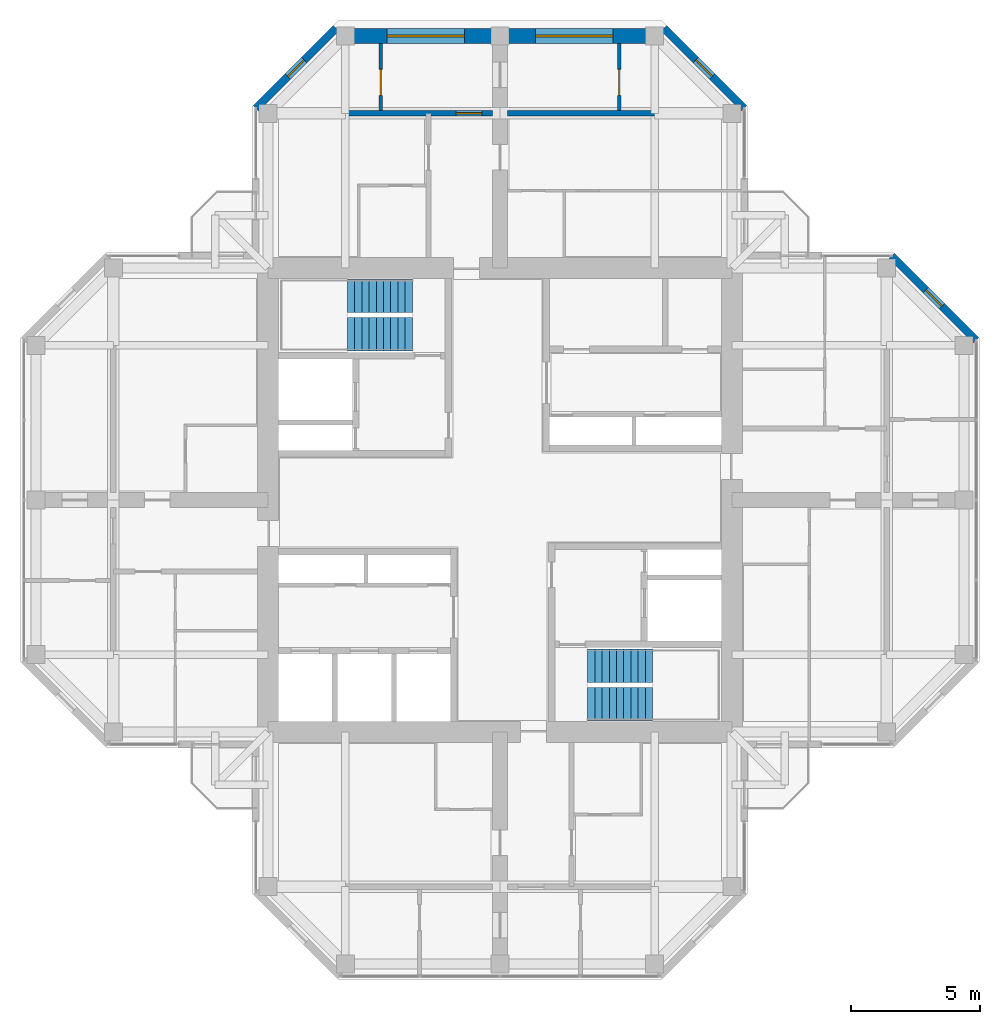
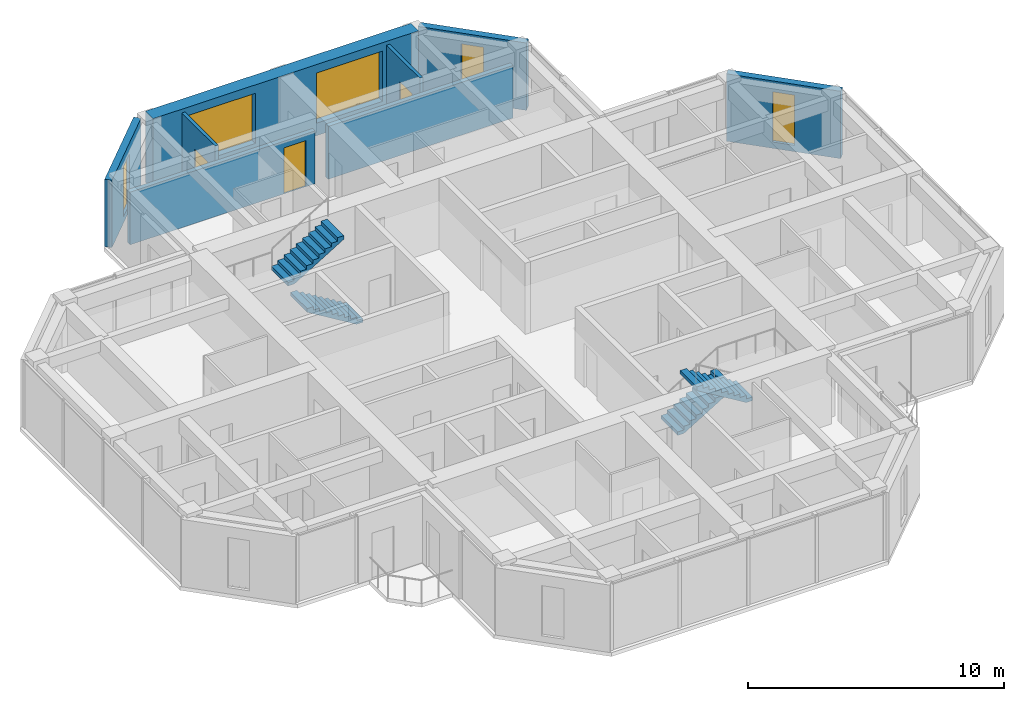
# One storey, part 12 of 13: 8 walls, 5 windows, 4 stair flights, 3 doors, 8 openings, 2 elements without a shape of their own.
"""IFC4 building model written with IfcOpenShell, lengths in metres."""

from ifc_helpers import new_model, si_unit, direction, frame, frame_2d, origin, place, context, subcontext, project, spatial, polyline, rectangle, hollow_rectangle, outline, extrude, material, layer, layer_set, constituent, constituent_set, type_object, element, fill, aggregate, save


model = new_model("IFC4")

# Units and contexts
model_context = context("Model", 3, precision=1e-05, world=origin(), true_north=direction((0.0, 1.0)))
body_context = subcontext(model_context, "Body", "Model", "MODEL_VIEW")
ifc_project = project(units=[si_unit("LENGTHUNIT", "METRE"), si_unit("AREAUNIT", "SQUARE_METRE"), si_unit("VOLUMEUNIT", "CUBIC_METRE"), si_unit("PLANEANGLEUNIT", "RADIAN"), si_unit("MASSUNIT", "GRAM", prefix="KILO")], contexts=[model_context])

# Site, building, storey
site_placement = place(None, origin())
site = spatial("IfcSite", under=ifc_project, at=site_placement, CompositionType="ELEMENT")
building_placement = place(site_placement, origin())
building = spatial("IfcBuilding", under=site, at=building_placement, Name="Torre Cruceta", CompositionType="ELEMENT")
storey_placement = place(building_placement, frame((0.0, 0.0, 281.5)))
storey = spatial("IfcBuildingStorey", under=building, at=storey_placement, Name="L73", CompositionType="ELEMENT", Elevation=281.5)

# Wall, opening, window
ifc_material_1 = material(Name="Concrete G30 (fck 30 MPa)", Category="concrete")
ifc_layer_1 = layer(ifc_material_1, 0.300048828125)
ifc_layer_set_1 = layer_set([ifc_layer_1], Name="Concrete G30 (fck 30 MPa)")
wall_type_1 = type_object("IfcWallType", Name="EXPOSED CONCRETE FACADE WALL 300", PredefinedType="SOLIDWALL", material=ifc_layer_set_1)
wall_1_placement = place(storey_placement, frame((18.469970703125, 6.194580078125, 0.0), z_axis=(0.0, 0.0, 1.0), x_axis=(-0.707106781187, 0.707106781187, 0.0)))
wall_1 = element("IfcWall", 1, at=wall_1_placement, inside=storey, type_object=wall_type_1, Name="EW1 facade wall L73 E chamfer 03", PredefinedType="SOLIDWALL", context=body_context, shape_type="SweptSolid", body=[
    extrude(rectangle(XDim=4.632080078125, YDim=0.300048828125, at=frame_2d((2.31591796875, 0.0))), origin(), (0.0, 0.0, 1.0), 3.219970703125),
])
opening_1_placement = place(wall_1_placement, frame((1.865966796875, 0.0, 0.300048828125)))
opening_1 = element("IfcOpeningElement", 2, at=opening_1_placement, cuts=wall_1, Name="Opening WN5", PredefinedType="OPENING", context=body_context, shape_type="SweptSolid", body=[
    extrude(rectangle(XDim=0.89990234375, YDim=2.39990234375, at=frame_2d((0.449951171875, 1.199951171875))), frame((0.0, 0.159912109375, 0.0), z_axis=(0.0, -1.0, 0.0), x_axis=(1.0, 0.0, 0.0)), (0.0, 0.0, 1.0), 0.320068359375),
])
ifc_material_2 = material(Name="Aluminium window frame", Category="aluminium")
ifc_constituent_1 = constituent(ifc_material_2, Name="Frame")
ifc_material_3 = material(Name="Laminated insulating glass unit, low-iron clear", Category="glass")
ifc_constituent_2 = constituent(ifc_material_3, Name="Glazing")
ifc_constituent_set_1 = constituent_set(constituents=[ifc_constituent_1, ifc_constituent_2], Name="Aluminium window")
window_type_1 = type_object("IfcWindowType", Name="CHAMFER SLOT WINDOW 900X2400", PartitioningType="SINGLE_PANEL", PredefinedType="WINDOW", material=ifc_constituent_set_1)
window_1_placement = place(opening_1_placement, origin())
window_1 = element("IfcWindow", 3, at=window_1_placement, inside=storey, type_object=window_type_1, Name="WN5 L73 E 1", OverallHeight=2.39990234375, OverallWidth=0.89990234375, PartitioningType="SINGLE_PANEL", PredefinedType="WINDOW", context=body_context, shape_type="SweptSolid", body=[
    extrude(hollow_rectangle(XDim=0.89990234375, YDim=2.39990234375, WallThickness=0.06005859375, at=frame_2d((0.449951171875, 1.199951171875))), frame((0.0, 0.030029296875, 0.0), z_axis=(0.0, -1.0, 0.0), x_axis=(1.0, 0.0, 0.0)), (0.0, 0.0, 1.0), 0.06005859375),
    extrude(rectangle(XDim=0.77880859375, YDim=2.27880859375, at=frame_2d((0.449951171875, 1.199951171875))), frame((0.0, 0.030029296875, 0.0), z_axis=(0.0, -1.0, 0.0), x_axis=(1.0, 0.0, 0.0)), (0.0, 0.0, 1.0), 0.06005859375),
])
fill(opening_1, window_1)

wall_2_placement = place(storey_placement, frame((9.469970703125, 15.194580078125, 0.0), z_axis=(0.0, 0.0, 1.0), x_axis=(-0.70707898447, 0.707134576811, 0.0)))
wall_2 = element("IfcWall", 4, at=wall_2_placement, inside=storey, type_object=wall_type_1, Name="EW1 facade wall L73 N chamfer 06", PredefinedType="SOLIDWALL", context=body_context, shape_type="SweptSolid", body=[
    extrude(rectangle(XDim=4.3916015625, YDim=0.300048828125, at=frame_2d((2.19580078125, 0.0))), origin(), (0.0, 0.0, 1.0), 3.219970703125),
])
opening_2_placement = place(wall_2_placement, frame((1.745849609375, 0.0, 0.300048828125)))
opening_2 = element("IfcOpeningElement", 5, at=opening_2_placement, cuts=wall_2, Name="Opening WN5", PredefinedType="OPENING", context=body_context, shape_type="SweptSolid", body=[
    extrude(rectangle(XDim=0.89990234375, YDim=2.39990234375, at=frame_2d((0.449951171875, 1.199951171875))), frame((0.0, 0.159912109375, 0.0), z_axis=(0.0, -1.0, 0.0), x_axis=(1.0, 0.0, 0.0)), (0.0, 0.0, 1.0), 0.320068359375),
])
window_2_placement = place(opening_2_placement, origin())
window_2 = element("IfcWindow", 6, at=window_2_placement, inside=storey, type_object=window_type_1, Name="WN5 L73 N 1", OverallHeight=2.39990234375, OverallWidth=0.89990234375, PartitioningType="SINGLE_PANEL", PredefinedType="WINDOW", context=body_context, shape_type="SweptSolid", body=[
    extrude(hollow_rectangle(XDim=0.89990234375, YDim=2.39990234375, WallThickness=0.06005859375, at=frame_2d((0.449951171875, 1.199951171875))), frame((0.0, 0.030029296875, 0.0), z_axis=(0.0, -1.0, 0.0), x_axis=(1.0, 0.0, 0.0)), (0.0, 0.0, 1.0), 0.06005859375),
    extrude(rectangle(XDim=0.77880859375, YDim=2.27880859375, at=frame_2d((0.449951171875, 1.199951171875))), frame((0.0, 0.030029296875, 0.0), z_axis=(0.0, -1.0, 0.0), x_axis=(1.0, 0.0, 0.0)), (0.0, 0.0, 1.0), 0.06005859375),
])
fill(opening_2, window_2)

wall_3_placement = place(storey_placement, frame((-6.36474609375, 18.300048828125, 0.0), z_axis=(0.0, 0.0, 1.0), x_axis=(-0.70707898447, -0.707134576811, 0.0)))
wall_3 = element("IfcWall", 7, at=wall_3_placement, inside=storey, type_object=wall_type_1, Name="EW1 facade wall L73 N chamfer 08", PredefinedType="SOLIDWALL", context=body_context, shape_type="SweptSolid", body=[
    extrude(rectangle(XDim=4.3916015625, YDim=0.300048828125, at=frame_2d((2.19580078125, 0.0))), origin(), (0.0, 0.0, 1.0), 3.219970703125),
])
opening_3_placement = place(wall_3_placement, frame((1.745849609375, 0.0, 0.300048828125)))
opening_3 = element("IfcOpeningElement", 8, at=opening_3_placement, cuts=wall_3, Name="Opening WN5", PredefinedType="OPENING", context=body_context, shape_type="SweptSolid", body=[
    extrude(rectangle(XDim=0.89990234375, YDim=2.39990234375, at=frame_2d((0.449951171875, 1.199951171875))), frame((0.0, 0.159912109375, 0.0), z_axis=(0.0, -1.0, 0.0), x_axis=(1.0, 0.0, 0.0)), (0.0, 0.0, 1.0), 0.320068359375),
])
window_3_placement = place(opening_3_placement, origin())
window_3 = element("IfcWindow", 9, at=window_3_placement, inside=storey, type_object=window_type_1, Name="WN5 L73 N 1", OverallHeight=2.39990234375, OverallWidth=0.89990234375, PartitioningType="SINGLE_PANEL", PredefinedType="WINDOW", context=body_context, shape_type="SweptSolid", body=[
    extrude(hollow_rectangle(XDim=0.89990234375, YDim=2.39990234375, WallThickness=0.06005859375, at=frame_2d((0.449951171875, 1.199951171875))), frame((0.0, 0.030029296875, 0.0), z_axis=(0.0, -1.0, 0.0), x_axis=(1.0, 0.0, 0.0)), (0.0, 0.0, 1.0), 0.06005859375),
    extrude(rectangle(XDim=0.77880859375, YDim=2.27880859375, at=frame_2d((0.449951171875, 1.199951171875))), frame((0.0, 0.030029296875, 0.0), z_axis=(0.0, -1.0, 0.0), x_axis=(1.0, 0.0, 0.0)), (0.0, 0.0, 1.0), 0.06005859375),
])
fill(opening_3, window_3)

# Wall, openings, windows
ifc_material_4 = material(Name="Concrete G60 (fck 60 MPa)", Category="concrete")
ifc_layer_2 = layer(ifc_material_4, 0.60009765625)
ifc_layer_set_2 = layer_set([ifc_layer_2], Name="Concrete G60 (fck 60 MPa)")
wall_type_2 = type_object("IfcWallType", Name="NOSE WALL 600 G60", PredefinedType="SHEAR", material=ifc_layer_set_2)
wall_4_placement = place(storey_placement, frame((6.0, 18.0, 0.0), z_axis=(0.0, 0.0, 1.0), x_axis=(-1.0, 0.0, 0.0)))
wall_4 = element("IfcWall", 10, at=wall_4_placement, inside=storey, type_object=wall_type_2, Name="NW3 nose wall L73 N", PredefinedType="SHEAR", context=body_context, shape_type="SweptSolid", body=[
    extrude(rectangle(XDim=12.0, YDim=0.60009765625, at=frame_2d((6.0, 0.0))), origin(), (0.0, 0.0, 1.0), 3.39990234375),
])
opening_4_placement = place(wall_4_placement, frame((1.625, 0.0, 0.60009765625)))
opening_4 = element("IfcOpeningElement", 11, at=opening_4_placement, cuts=wall_4, Name="Opening WN6", PredefinedType="OPENING", context=body_context, shape_type="SweptSolid", body=[
    extrude(rectangle(XDim=3.0, YDim=2.39990234375, at=frame_2d((1.5, 1.199951171875))), frame((0.0, 0.31005859375, 0.0), z_axis=(0.0, -1.0, 0.0), x_axis=(1.0, 0.0, 0.0)), (0.0, 0.0, 1.0), 0.6201171875),
])
opening_5_placement = place(wall_4_placement, frame((7.375, 0.0, 0.60009765625)))
opening_5 = element("IfcOpeningElement", 12, at=opening_5_placement, cuts=wall_4, Name="Opening WN6", PredefinedType="OPENING", context=body_context, shape_type="SweptSolid", body=[
    extrude(rectangle(XDim=3.0, YDim=2.39990234375, at=frame_2d((1.5, 1.199951171875))), frame((0.0, 0.31005859375, 0.0), z_axis=(0.0, -1.0, 0.0), x_axis=(1.0, 0.0, 0.0)), (0.0, 0.0, 1.0), 0.6201171875),
])
ifc_material_5 = material(Name="Aluminium window frame", Category="aluminium")
ifc_constituent_3 = constituent(ifc_material_5, Name="Frame")
ifc_material_6 = material(Name="Laminated insulating glass unit, low-iron clear", Category="glass")
ifc_constituent_4 = constituent(ifc_material_6, Name="Glazing")
ifc_constituent_set_2 = constituent_set(constituents=[ifc_constituent_3, ifc_constituent_4], Name="Aluminium window")
window_type_2 = type_object("IfcWindowType", Name="NOSE WALL WINDOW 3000X2400", PartitioningType="SINGLE_PANEL", PredefinedType="WINDOW", material=ifc_constituent_set_2)
window_4_placement = place(opening_4_placement, origin())
window_4 = element("IfcWindow", 13, at=window_4_placement, inside=storey, type_object=window_type_2, Name="WN6 L73 N 1", OverallHeight=2.39990234375, OverallWidth=3.0, PartitioningType="SINGLE_PANEL", PredefinedType="WINDOW", context=body_context, shape_type="SweptSolid", body=[
    extrude(hollow_rectangle(XDim=3.0, YDim=2.39990234375, WallThickness=0.06005859375, at=frame_2d((1.5, 1.199951171875))), frame((0.0, 0.030029296875, 0.0), z_axis=(0.0, -1.0, 0.0), x_axis=(1.0, 0.0, 0.0)), (0.0, 0.0, 1.0), 0.06005859375),
    extrude(rectangle(XDim=2.87890625, YDim=2.27880859375, at=frame_2d((1.5, 1.199951171875))), frame((0.0, 0.030029296875, 0.0), z_axis=(0.0, -1.0, 0.0), x_axis=(1.0, 0.0, 0.0)), (0.0, 0.0, 1.0), 0.06005859375),
])
fill(opening_4, window_4)
window_5_placement = place(opening_5_placement, origin())
window_5 = element("IfcWindow", 14, at=window_5_placement, inside=storey, type_object=window_type_2, Name="WN6 L73 N 2", OverallHeight=2.39990234375, OverallWidth=3.0, PartitioningType="SINGLE_PANEL", PredefinedType="WINDOW", context=body_context, shape_type="SweptSolid", body=[
    extrude(hollow_rectangle(XDim=3.0, YDim=2.39990234375, WallThickness=0.06005859375, at=frame_2d((1.5, 1.199951171875))), frame((0.0, 0.030029296875, 0.0), z_axis=(0.0, -1.0, 0.0), x_axis=(1.0, 0.0, 0.0)), (0.0, 0.0, 1.0), 0.06005859375),
    extrude(rectangle(XDim=2.87890625, YDim=2.27880859375, at=frame_2d((1.5, 1.199951171875))), frame((0.0, 0.030029296875, 0.0), z_axis=(0.0, -1.0, 0.0), x_axis=(1.0, 0.0, 0.0)), (0.0, 0.0, 1.0), 0.06005859375),
])
fill(opening_5, window_5)

# Wall, opening, door
ifc_material_7 = material(Name="Plasterboard on steel studs", Category="steel")
ifc_layer_3 = layer(ifc_material_7, 0.14990234375)
ifc_layer_set_3 = layer_set([ifc_layer_3], Name="Plasterboard on steel studs")
wall_type_3 = type_object("IfcWallType", Name="PARTITION 150", PredefinedType="PARTITIONING", material=ifc_layer_set_3)
wall_5_placement = place(storey_placement, frame((-4.625, 15.10009765625, 0.0), z_axis=(0.0, 0.0, 1.0), x_axis=(0.0, 1.0, 0.0)))
wall_5 = element("IfcWall", 15, at=wall_5_placement, inside=storey, type_object=wall_type_3, Name="PT1 L73-N-ENDX", PredefinedType="PARTITIONING", context=body_context, shape_type="SweptSolid", body=[
    extrude(rectangle(XDim=2.599853515625, YDim=0.14990234375, at=frame_2d((1.2998046875, 0.0))), origin(), (0.0, 0.0, 1.0), 3.219970703125),
])
opening_6_placement = place(wall_5_placement, frame((0.60009765625, 0.0, 0.0)))
opening_6 = element("IfcOpeningElement", 16, at=opening_6_placement, cuts=wall_5, Name="Opening D3", PredefinedType="OPENING", context=body_context, shape_type="SweptSolid", body=[
    extrude(rectangle(XDim=1.0, YDim=2.10009765625, at=frame_2d((0.5, 1.050048828125))), frame((0.0, 0.0849609375, 0.0), z_axis=(0.0, -1.0, 0.0), x_axis=(1.0, 0.0, 0.0)), (0.0, 0.0, 1.0), 0.169921875),
])
ifc_material_8 = material(Name="Steel DX51D", Category="steel")
ifc_constituent_5 = constituent(ifc_material_8, Name="Leaf and frame")
ifc_material_9 = material(Name="Polyester powder coating", Category="paint")
ifc_constituent_6 = constituent(ifc_material_9, Name="Finish")
ifc_constituent_set_3 = constituent_set(constituents=[ifc_constituent_5, ifc_constituent_6], Name="Steel fire door")
door_type_1 = type_object("IfcDoorType", Name="FIRE DOOR 1000X2100", OperationType="SINGLE_SWING_LEFT", PredefinedType="DOOR", material=ifc_constituent_set_3)
door_1_placement = place(opening_6_placement, origin())
door_1 = element("IfcDoor", 17, at=door_1_placement, inside=storey, type_object=door_type_1, Name="D3 L73-N-ENDX-D1", OperationType="SINGLE_SWING_LEFT", OverallHeight=2.10009765625, OverallWidth=1.0, PredefinedType="DOOR", context=body_context, shape_type="SweptSolid", body=[
    extrude(rectangle(XDim=1.0, YDim=2.10009765625, at=frame_2d((0.5, 1.050048828125))), frame((0.0, 0.02490234375, 0.0), z_axis=(0.0, -1.0, 0.0), x_axis=(1.0, 0.0, 0.0)), (0.0, 0.0, 1.0), 0.050048828125),
])
fill(opening_6, door_1)

wall_6_placement = place(storey_placement, frame((4.625, 15.10009765625, 0.0), z_axis=(0.0, 0.0, 1.0), x_axis=(0.0, 1.0, 0.0)))
wall_6 = element("IfcWall", 18, at=wall_6_placement, inside=storey, type_object=wall_type_3, Name="PT1 L73-N-END2X", PredefinedType="PARTITIONING", context=body_context, shape_type="SweptSolid", body=[
    extrude(rectangle(XDim=2.599853515625, YDim=0.14990234375, at=frame_2d((1.2998046875, 0.0))), origin(), (0.0, 0.0, 1.0), 3.219970703125),
])
opening_7_placement = place(wall_6_placement, frame((0.60009765625, 0.0, 0.0)))
opening_7 = element("IfcOpeningElement", 19, at=opening_7_placement, cuts=wall_6, Name="Opening D3", PredefinedType="OPENING", context=body_context, shape_type="SweptSolid", body=[
    extrude(rectangle(XDim=1.0, YDim=2.10009765625, at=frame_2d((0.5, 1.050048828125))), frame((0.0, 0.0849609375, 0.0), z_axis=(0.0, -1.0, 0.0), x_axis=(1.0, 0.0, 0.0)), (0.0, 0.0, 1.0), 0.169921875),
])
door_2_placement = place(opening_7_placement, frame((1.0, 0.0, 0.0), z_axis=(0.0, 0.0, 1.0), x_axis=(-1.0, 0.0, 0.0)))
door_2 = element("IfcDoor", 20, at=door_2_placement, inside=storey, type_object=door_type_1, Name="D3 L73-N-END2X-D1", OperationType="SINGLE_SWING_RIGHT", OverallHeight=2.10009765625, OverallWidth=1.0, PredefinedType="DOOR", context=body_context, shape_type="SweptSolid", body=[
    extrude(rectangle(XDim=1.0, YDim=2.10009765625, at=frame_2d((0.5, 1.050048828125))), frame((0.0, 0.025146484375, 0.0), z_axis=(0.0, -1.0, 0.0), x_axis=(1.0, 0.0, 0.0)), (0.0, 0.0, 1.0), 0.050048828125),
])
fill(opening_7, door_2)

# Wall
ifc_material_10 = material(Name="Concrete G25 (fck 25 MPa)", Category="concrete")
ifc_layer_4 = layer(ifc_material_10, 0.199951171875)
ifc_layer_set_4 = layer_set([ifc_layer_4], Name="Concrete G25 (fck 25 MPa)")
wall_type_4 = type_object("IfcWallType", Name="UNIT SEPARATING WALL 200", PredefinedType="SOLIDWALL", material=ifc_layer_set_4)
wall_7_placement = place(storey_placement, frame((8.64990234375, 15.0, 0.0), z_axis=(0.0, 0.0, 1.0), x_axis=(-1.0, 0.0, 0.0)))
element("IfcWall", 21, at=wall_7_placement, inside=storey, type_object=wall_type_4, Name="PT2 L73-N-ENDa", PredefinedType="SOLIDWALL", context=body_context, shape_type="SweptSolid", body=[
    extrude(rectangle(XDim=8.349853515625, YDim=0.199951171875, at=frame_2d((4.1748046875, 0.0))), origin(), (0.0, 0.0, 1.0), 2.52001953125),
])

# Wall, opening, door
wall_8_placement = place(storey_placement, frame((-0.300048828125, 15.0, 0.0), z_axis=(0.0, 0.0, 1.0), x_axis=(-1.0, 0.0, 0.0)))
wall_8 = element("IfcWall", 22, at=wall_8_placement, inside=storey, type_object=wall_type_4, Name="PT2 L73-N-ENDb", PredefinedType="SOLIDWALL", context=body_context, shape_type="SweptSolid", body=[
    extrude(rectangle(XDim=8.349853515625, YDim=0.199951171875, at=frame_2d((4.1748046875, 0.0))), origin(), (0.0, 0.0, 1.0), 2.52001953125),
])
opening_8_placement = place(wall_8_placement, frame((0.39990234375, 0.0, 0.0)))
opening_8 = element("IfcOpeningElement", 23, at=opening_8_placement, cuts=wall_8, Name="Opening D14", PredefinedType="OPENING", context=body_context, shape_type="SweptSolid", body=[
    extrude(rectangle(XDim=1.0, YDim=2.199951171875, at=frame_2d((0.5, 1.10009765625))), frame((0.0, 0.10986328125, 0.0), z_axis=(0.0, -1.0, 0.0), x_axis=(1.0, 0.0, 0.0)), (0.0, 0.0, 1.0), 0.219970703125),
])
ifc_material_11 = material(Name="Steel DX51D", Category="steel")
ifc_constituent_7 = constituent(ifc_material_11, Name="Leaf and frame")
ifc_material_12 = material(Name="Polyester powder coating", Category="paint")
ifc_constituent_8 = constituent(ifc_material_12, Name="Finish")
ifc_material_13 = material(Name="Fire-resisting glass", Category="glass")
ifc_constituent_9 = constituent(ifc_material_13, Name="Vision panel")
ifc_constituent_set_4 = constituent_set(constituents=[ifc_constituent_7, ifc_constituent_8, ifc_constituent_9], Name="Steel fire door with vision panel")
door_type_2 = type_object("IfcDoorType", Name="FIRE DOOR VISION PANEL 1000X2200", OperationType="SINGLE_SWING_RIGHT", PredefinedType="DOOR", material=ifc_constituent_set_4)
door_3_placement = place(opening_8_placement, frame((1.0, 0.0, 0.0), z_axis=(0.0, 0.0, 1.0), x_axis=(-1.0, 0.0, 0.0)))
door_3 = element("IfcDoor", 24, at=door_3_placement, inside=storey, type_object=door_type_2, Name="D14 L73-N-ENDb-D1", OperationType="SINGLE_SWING_RIGHT", OverallHeight=2.199951171875, OverallWidth=1.0, PredefinedType="DOOR", context=body_context, shape_type="SweptSolid", body=[
    extrude(rectangle(XDim=1.0, YDim=2.199951171875, at=frame_2d((0.5, 1.10009765625))), frame((0.0, 0.025146484375, 0.0), z_axis=(0.0, -1.0, 0.0), x_axis=(1.0, 0.0, 0.0)), (0.0, 0.0, 1.0), 0.050048828125),
])
fill(opening_8, door_3)

# Stair, stair flights
ifc_material_14 = material(Name="Concrete G30 (fck 30 MPa)", Category="concrete")
stair_type = type_object("IfcStairType", Name="STAIR HALF-TURN 1300", PredefinedType="HALF_TURN_STAIR", material=ifc_material_14)
stair_1_placement = place(storey_placement, origin())
stair_1 = element("IfcStair", 25, at=stair_1_placement, inside=storey, type_object=stair_type, Name="Stair ST1 L73", PredefinedType="HALF_TURN_STAIR")
ifc_material_15 = material(Name="Concrete G30 (fck 30 MPa)", Category="concrete")
stair_flight_type = type_object("IfcStairFlightType", Name="STAIR FLIGHT 1300", PredefinedType="STRAIGHT", material=ifc_material_15)
stair_flight_1_placement = place(storey_placement, frame((-3.39990234375, 6.425048828125, 0.0), z_axis=(0.0, 0.0, 1.0), x_axis=(-1.0, 0.0, 0.0)))
stair_flight_1 = element("IfcStairFlight", 26, at=stair_flight_1_placement, type_object=stair_flight_type, Name="ST1 flight 1", NumberOfRisers=10, NumberOfTreads=9, PredefinedType="STRAIGHT", RiserHeight=0.17, TreadLength=0.28, context=body_context, shape_type="SweptSolid", body=[
    extrude(outline(polyline([(0.0, 0.0), (0.0, 0.169921875), (0.280029296875, 0.169921875), (0.280029296875, 0.340087890625), (0.56005859375, 0.340087890625), (0.56005859375, 0.510009765625), (0.840087890625, 0.510009765625), (0.840087890625, 0.679931640625), (1.1201171875, 0.679931640625), (1.1201171875, 0.85009765625), (1.39990234375, 0.85009765625), (1.39990234375, 1.02001953125), (1.679931640625, 1.02001953125), (1.679931640625, 1.18994140625), (1.9599609375, 1.18994140625), (1.9599609375, 1.360107421875), (2.239990234375, 1.360107421875), (2.239990234375, 1.530029296875), (2.52001953125, 1.530029296875), (2.52001953125, 1.699951171875), (2.52001953125, 1.354736328125), (0.288818359375, 0.0), (0.0, 0.0)])), frame((0.0, 0.64990234375, 0.0), z_axis=(0.0, -1.0, 0.0), x_axis=(1.0, 0.0, 0.0)), (0.0, 0.0, 1.0), 1.300048828125),
])
stair_flight_2_placement = place(storey_placement, frame((-5.919921875, 7.925048828125, 1.699951171875), z_axis=(0.0, 0.0, 1.0), x_axis=(1.0, 0.0, 0.0)))
stair_flight_2 = element("IfcStairFlight", 27, at=stair_flight_2_placement, type_object=stair_flight_type, Name="ST1 flight 2", NumberOfRisers=10, NumberOfTreads=9, PredefinedType="STRAIGHT", RiserHeight=0.17, TreadLength=0.28, context=body_context, shape_type="SweptSolid", body=[
    extrude(outline(polyline([(0.0, 0.0), (0.0, 0.169921875), (0.280029296875, 0.169921875), (0.280029296875, 0.340087890625), (0.56005859375, 0.340087890625), (0.56005859375, 0.510009765625), (0.840087890625, 0.510009765625), (0.840087890625, 0.679931640625), (1.1201171875, 0.679931640625), (1.1201171875, 0.85009765625), (1.39990234375, 0.85009765625), (1.39990234375, 1.02001953125), (1.679931640625, 1.02001953125), (1.679931640625, 1.18994140625), (1.9599609375, 1.18994140625), (1.9599609375, 1.360107421875), (2.239990234375, 1.360107421875), (2.239990234375, 1.530029296875), (2.52001953125, 1.530029296875), (2.52001953125, 1.699951171875), (2.52001953125, 1.354736328125), (0.288818359375, 0.0), (0.0, 0.0)])), frame((0.0, 0.64990234375, 0.0), z_axis=(0.0, -1.0, 0.0), x_axis=(1.0, 0.0, 0.0)), (0.0, 0.0, 1.0), 1.300048828125),
])
aggregate(stair_1, [stair_flight_1, stair_flight_2])

stair_2_placement = place(storey_placement, origin())
stair_2 = element("IfcStair", 28, at=stair_2_placement, inside=storey, type_object=stair_type, Name="Stair ST2 L73", PredefinedType="HALF_TURN_STAIR")
stair_flight_3_placement = place(storey_placement, frame((3.39990234375, -6.425048828125, 0.0), z_axis=(0.0, 0.0, 1.0), x_axis=(1.0, 0.0, 0.0)))
stair_flight_3 = element("IfcStairFlight", 29, at=stair_flight_3_placement, type_object=stair_flight_type, Name="ST2 flight 1", NumberOfRisers=10, NumberOfTreads=9, PredefinedType="STRAIGHT", RiserHeight=0.17, TreadLength=0.28, context=body_context, shape_type="SweptSolid", body=[
    extrude(outline(polyline([(0.0, 0.0), (0.0, 0.169921875), (0.280029296875, 0.169921875), (0.280029296875, 0.340087890625), (0.56005859375, 0.340087890625), (0.56005859375, 0.510009765625), (0.840087890625, 0.510009765625), (0.840087890625, 0.679931640625), (1.1201171875, 0.679931640625), (1.1201171875, 0.85009765625), (1.39990234375, 0.85009765625), (1.39990234375, 1.02001953125), (1.679931640625, 1.02001953125), (1.679931640625, 1.18994140625), (1.9599609375, 1.18994140625), (1.9599609375, 1.360107421875), (2.239990234375, 1.360107421875), (2.239990234375, 1.530029296875), (2.52001953125, 1.530029296875), (2.52001953125, 1.699951171875), (2.52001953125, 1.354736328125), (0.288818359375, 0.0), (0.0, 0.0)])), frame((0.0, 0.64990234375, 0.0), z_axis=(0.0, -1.0, 0.0), x_axis=(1.0, 0.0, 0.0)), (0.0, 0.0, 1.0), 1.300048828125),
])
stair_flight_4_placement = place(storey_placement, frame((5.919921875, -7.925048828125, 1.699951171875), z_axis=(0.0, 0.0, 1.0), x_axis=(-1.0, 0.0, 0.0)))
stair_flight_4 = element("IfcStairFlight", 30, at=stair_flight_4_placement, type_object=stair_flight_type, Name="ST2 flight 2", NumberOfRisers=10, NumberOfTreads=9, PredefinedType="STRAIGHT", RiserHeight=0.17, TreadLength=0.28, context=body_context, shape_type="SweptSolid", body=[
    extrude(outline(polyline([(0.0, 0.0), (0.0, 0.169921875), (0.280029296875, 0.169921875), (0.280029296875, 0.340087890625), (0.56005859375, 0.340087890625), (0.56005859375, 0.510009765625), (0.840087890625, 0.510009765625), (0.840087890625, 0.679931640625), (1.1201171875, 0.679931640625), (1.1201171875, 0.85009765625), (1.39990234375, 0.85009765625), (1.39990234375, 1.02001953125), (1.679931640625, 1.02001953125), (1.679931640625, 1.18994140625), (1.9599609375, 1.18994140625), (1.9599609375, 1.360107421875), (2.239990234375, 1.360107421875), (2.239990234375, 1.530029296875), (2.52001953125, 1.530029296875), (2.52001953125, 1.699951171875), (2.52001953125, 1.354736328125), (0.288818359375, 0.0), (0.0, 0.0)])), frame((0.0, 0.64990234375, 0.0), z_axis=(0.0, -1.0, 0.0), x_axis=(1.0, 0.0, 0.0)), (0.0, 0.0, 1.0), 1.300048828125),
])
aggregate(stair_2, [stair_flight_3, stair_flight_4])

save(model, "model.ifc")
